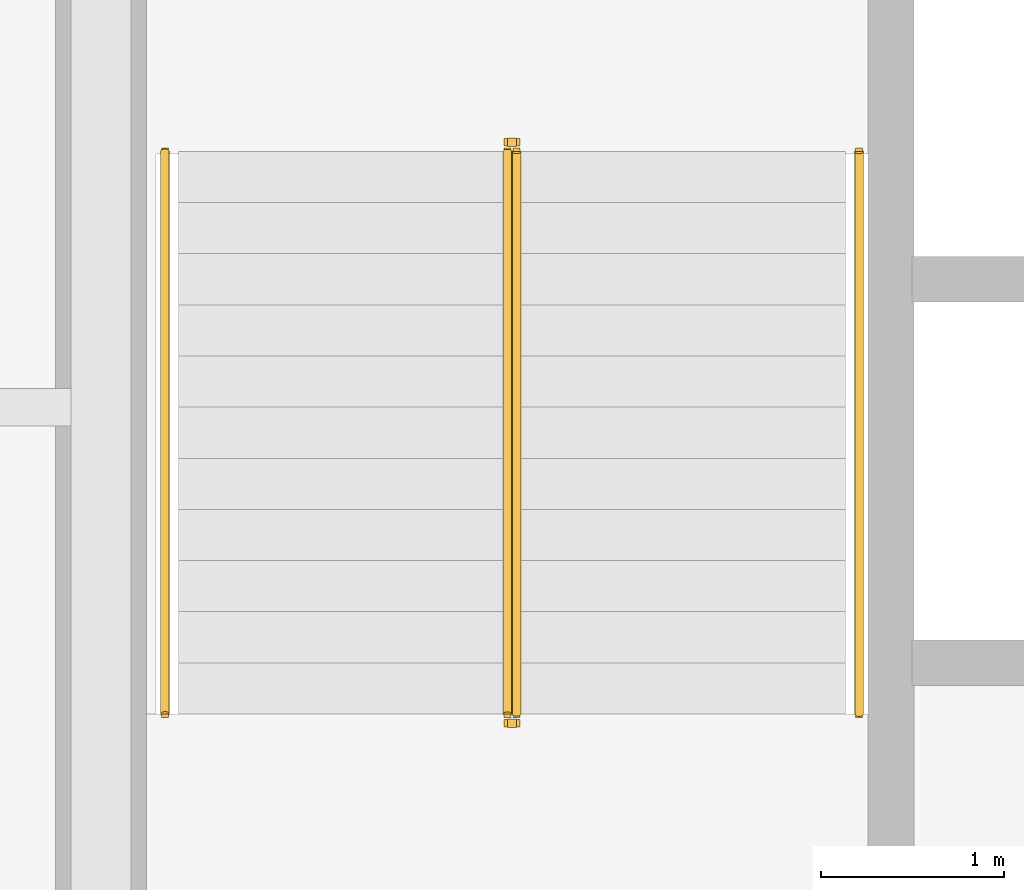
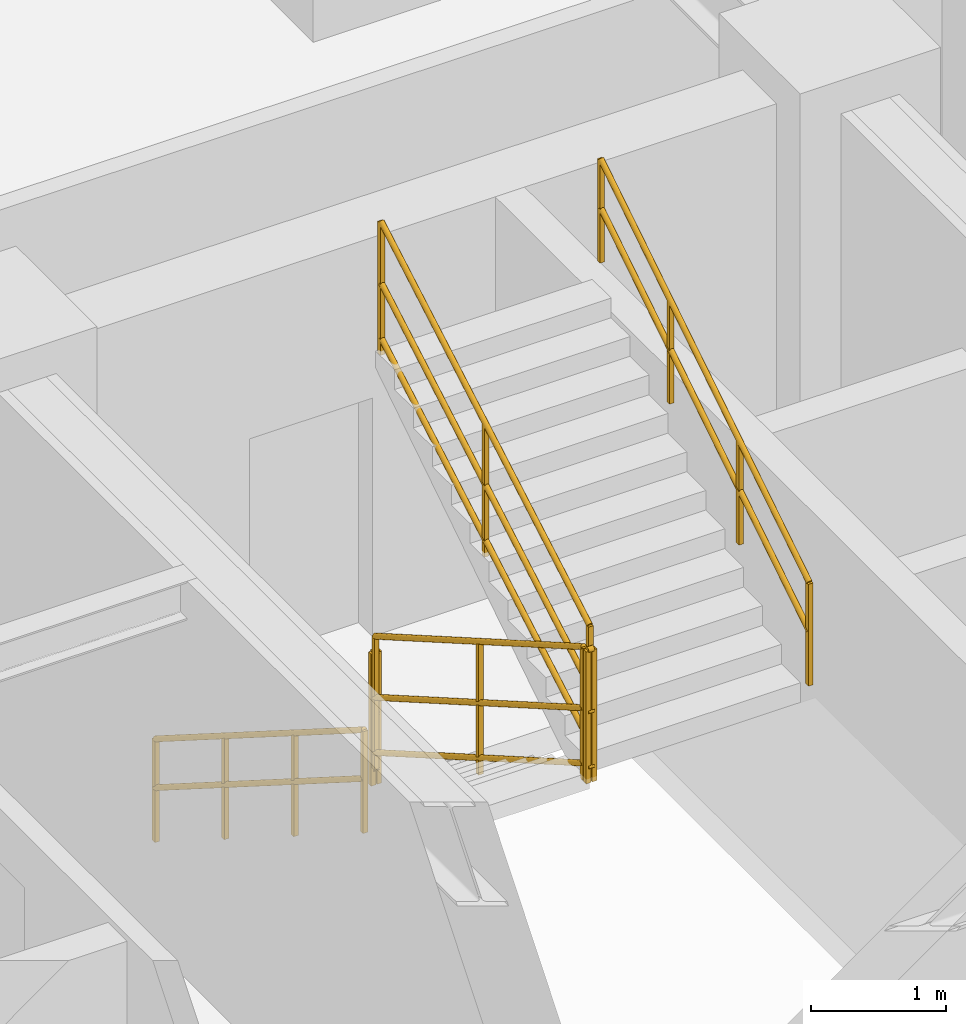
# One storey, part 9 of 9: 6 railings.
"""IFC4 building model written with IfcOpenShell, lengths in metres."""

from ifc_helpers import new_model, entity, si_unit, converted_unit, direction, frame, origin_with_axes, origin_2d_with_axis, place, context, subcontext, project, spatial, rectangle, circle, extrude, material, type_object, element, save


model = new_model("IFC4")

# Units and contexts
model_context = context("Model", 3, precision=1e-05, world=origin_with_axes(), true_north=direction((0.0, 1.0)))
body_context = subcontext(model_context, "Body", "Model", "MODEL_VIEW")
ifc_project = project(units=[si_unit("LENGTHUNIT", "METRE"), si_unit("AREAUNIT", "SQUARE_METRE"), si_unit("VOLUMEUNIT", "CUBIC_METRE"), converted_unit("PLANEANGLEUNIT", "DEGREE", entity("IfcPlaneAngleMeasure", 0.017453292519943295), si_unit("PLANEANGLEUNIT", "RADIAN"), dimensions=[0, 0, 0, 0, 0, 0, 0]), si_unit("MASSUNIT", "GRAM", prefix="KILO"), si_unit("THERMODYNAMICTEMPERATUREUNIT", "KELVIN")], contexts=[model_context])

# Site, building, storey
site_placement = place(None, origin_with_axes())
site = spatial("IfcSite", under=ifc_project, at=site_placement, CompositionType="ELEMENT")
building_placement = place(site_placement, origin_with_axes())
building = spatial("IfcBuilding", under=site, at=building_placement, Name="Varnlund Millrace Tower", CompositionType="ELEMENT")
storey_placement = place(building_placement, frame((0.0, 0.0, 120.3), z_axis=(0.0, 0.0, 1.0), x_axis=(1.0, 0.0, 0.0)))
storey = spatial("IfcBuildingStorey", under=building, at=storey_placement, Name="L29", CompositionType="ELEMENT", Elevation=120.3)

# Railings
ifc_material_1 = material(Name="Painted steel stair well balustrade guard", Category="steel")
railing_type_1 = type_object("IfcRailingType", Name="Type-StairGuard-1150", PredefinedType="GUARDRAIL", material=ifc_material_1)
railing_1_placement = place(storey_placement, frame((0.0, 0.0, -120.3), z_axis=(0.0, 0.0, 1.0), x_axis=(1.0, 0.0, 0.0)))
element("IfcRailing", 1, at=railing_1_placement, inside=storey, type_object=railing_type_1, Name="Type-StairGuard-1150", PredefinedType="GUARDRAIL", context=body_context, shape_type="SweptSolid", body=[
    extrude(circle(Radius=0.024, at=origin_2d_with_axis()), frame((13.625, 35.9, 121.627273), z_axis=(0.0, -0.866696, 0.498836), x_axis=(1.0, 0.0, 0.0)), (0.0, 0.0, 1.0), 3.553725),
    extrude(circle(Radius=0.024, at=origin_2d_with_axis()), frame((13.625, 35.9, 120.577273), z_axis=(0.0, -0.866696, 0.498836), x_axis=(1.0, 0.0, 0.0)), (0.0, 0.0, 1.0), 3.553725),
    extrude(circle(Radius=0.024, at=origin_2d_with_axis()), frame((13.625, 35.9, 121.075273), z_axis=(0.0, -0.866696, 0.498836), x_axis=(1.0, 0.0, 0.0)), (0.0, 0.0, 1.0), 3.553725),
    extrude(rectangle(XDim=0.04, YDim=0.04, at=origin_2d_with_axis()), frame((13.625, 35.9, 120.437273), z_axis=(0.0, 0.0, 1.0), x_axis=(1.0, 0.0, 0.0)), (0.0, 0.0, 1.0), 1.19),
    extrude(rectangle(XDim=0.04, YDim=0.04, at=origin_2d_with_axis()), frame((13.625, 34.36, 121.323636), z_axis=(0.0, 0.0, 1.0), x_axis=(1.0, 0.0, 0.0)), (0.0, 0.0, 1.0), 1.19),
    extrude(rectangle(XDim=0.04, YDim=0.04, at=origin_2d_with_axis()), frame((13.625, 32.82, 122.21), z_axis=(0.0, 0.0, 1.0), x_axis=(1.0, 0.0, 0.0)), (0.0, 0.0, 1.0), 1.19),
])
railing_2_placement = place(storey_placement, frame((0.0, 0.0, -120.3), z_axis=(0.0, 0.0, 1.0), x_axis=(1.0, 0.0, 0.0)))
element("IfcRailing", 2, at=railing_2_placement, inside=storey, type_object=railing_type_1, Name="Type-StairGuard-1150", PredefinedType="GUARDRAIL", context=body_context, shape_type="SweptSolid", body=[
    extrude(circle(Radius=0.024, at=origin_2d_with_axis()), frame((13.675, 32.77, 123.4), z_axis=(-1.0, 0.0, 0.0), x_axis=(0.0, -1.0, 0.0)), (0.0, 0.0, 1.0), 0.05),
    extrude(circle(Radius=0.024, at=origin_2d_with_axis()), frame((13.675, 32.77, 122.35), z_axis=(-1.0, 0.0, 0.0), x_axis=(0.0, -1.0, 0.0)), (0.0, 0.0, 1.0), 0.05),
    extrude(circle(Radius=0.024, at=origin_2d_with_axis()), frame((13.675, 32.77, 122.848), z_axis=(-1.0, 0.0, 0.0), x_axis=(0.0, -1.0, 0.0)), (0.0, 0.0, 1.0), 0.05),
    extrude(rectangle(XDim=0.04, YDim=0.04, at=origin_2d_with_axis()), frame((13.675, 32.77, 122.21), z_axis=(0.0, 0.0, 1.0), x_axis=(1.0, 0.0, 0.0)), (0.0, 0.0, 1.0), 1.19),
    extrude(rectangle(XDim=0.04, YDim=0.04, at=origin_2d_with_axis()), frame((13.625, 32.77, 122.21), z_axis=(0.0, 0.0, 1.0), x_axis=(1.0, 0.0, 0.0)), (0.0, 0.0, 1.0), 1.19),
])
railing_3_placement = place(storey_placement, frame((0.0, 0.0, -120.3), z_axis=(0.0, 0.0, 1.0), x_axis=(1.0, 0.0, 0.0)))
element("IfcRailing", 3, at=railing_3_placement, inside=storey, type_object=railing_type_1, Name="Type-StairGuard-1150", PredefinedType="GUARDRAIL", context=body_context, shape_type="SweptSolid", body=[
    extrude(circle(Radius=0.024, at=origin_2d_with_axis()), frame((13.675, 32.82, 123.577273), z_axis=(0.0, 0.866696, 0.498836), x_axis=(-1.0, 0.0, 0.0)), (0.0, 0.0, 1.0), 3.553725),
    extrude(circle(Radius=0.024, at=origin_2d_with_axis()), frame((13.675, 32.82, 122.527273), z_axis=(0.0, 0.866696, 0.498836), x_axis=(-1.0, 0.0, 0.0)), (0.0, 0.0, 1.0), 3.553725),
    extrude(circle(Radius=0.024, at=origin_2d_with_axis()), frame((13.675, 32.82, 123.025273), z_axis=(0.0, 0.866696, 0.498836), x_axis=(-1.0, 0.0, 0.0)), (0.0, 0.0, 1.0), 3.553725),
    extrude(rectangle(XDim=0.04, YDim=0.04, at=origin_2d_with_axis()), frame((13.675, 32.82, 122.387273), z_axis=(0.0, 0.0, 1.0), x_axis=(1.0, 0.0, 0.0)), (0.0, 0.0, 1.0), 1.19),
    extrude(rectangle(XDim=0.04, YDim=0.04, at=origin_2d_with_axis()), frame((13.675, 34.36, 123.273636), z_axis=(0.0, 0.0, 1.0), x_axis=(1.0, 0.0, 0.0)), (0.0, 0.0, 1.0), 1.19),
    extrude(rectangle(XDim=0.04, YDim=0.04, at=origin_2d_with_axis()), frame((13.675, 35.9, 124.16), z_axis=(0.0, 0.0, 1.0), x_axis=(1.0, 0.0, 0.0)), (0.0, 0.0, 1.0), 1.19),
])
railing_4_placement = place(storey_placement, frame((0.0, 0.0, -120.3), z_axis=(0.0, 0.0, 1.0), x_axis=(1.0, 0.0, 0.0)))
element("IfcRailing", 4, at=railing_4_placement, inside=storey, type_object=railing_type_1, Name="Type-StairGuard-1150", PredefinedType="GUARDRAIL", context=body_context, shape_type="SweptSolid", body=[
    extrude(circle(Radius=0.024, at=origin_2d_with_axis()), frame((13.675, 35.95, 121.45), z_axis=(-1.0, 0.0, 0.0), x_axis=(0.0, -1.0, 0.0)), (0.0, 0.0, 1.0), 0.05),
    extrude(circle(Radius=0.024, at=origin_2d_with_axis()), frame((13.675, 35.95, 120.4), z_axis=(-1.0, 0.0, 0.0), x_axis=(0.0, -1.0, 0.0)), (0.0, 0.0, 1.0), 0.05),
    extrude(circle(Radius=0.024, at=origin_2d_with_axis()), frame((13.675, 35.95, 120.898), z_axis=(-1.0, 0.0, 0.0), x_axis=(0.0, -1.0, 0.0)), (0.0, 0.0, 1.0), 0.05),
    extrude(rectangle(XDim=0.04, YDim=0.04, at=origin_2d_with_axis()), frame((13.675, 35.95, 120.26), z_axis=(0.0, 0.0, 1.0), x_axis=(1.0, 0.0, 0.0)), (0.0, 0.0, 1.0), 1.19),
    extrude(rectangle(XDim=0.04, YDim=0.04, at=origin_2d_with_axis()), frame((13.625, 35.95, 120.26), z_axis=(0.0, 0.0, 1.0), x_axis=(1.0, 0.0, 0.0)), (0.0, 0.0, 1.0), 1.19),
])
ifc_material_2 = material(Name="Brushed architectural bronze stair handrail", Category="aluminium")
railing_type_2 = type_object("IfcRailingType", Name="Type-StairHandrail-900", PredefinedType="HANDRAIL", material=ifc_material_2)
railing_5_placement = place(storey_placement, frame((0.0, 0.0, -120.3), z_axis=(0.0, 0.0, 1.0), x_axis=(1.0, 0.0, 0.0)))
element("IfcRailing", 5, at=railing_5_placement, inside=storey, type_object=railing_type_2, Name="Type-StairHandrail-900", PredefinedType="HANDRAIL", context=body_context, shape_type="SweptSolid", body=[
    extrude(circle(Radius=0.024, at=origin_2d_with_axis()), frame((11.75, 35.9, 121.356995), z_axis=(0.0, -0.844902, 0.534922), x_axis=(1.0, 0.0, 0.0)), (0.0, 0.0, 1.0), 3.645394),
    extrude(circle(Radius=0.024, at=origin_2d_with_axis()), frame((11.75, 35.9, 120.917134), z_axis=(0.0, -0.844902, 0.534922), x_axis=(1.0, 0.0, 0.0)), (0.0, 0.0, 1.0), 3.645394),
    extrude(rectangle(XDim=0.04, YDim=0.04, at=origin_2d_with_axis()), frame((11.75, 35.9, 120.437273), z_axis=(0.0, 0.0, 1.0), x_axis=(1.0, 0.0, 0.0)), (0.0, 0.0, 1.0), 0.919722),
    extrude(rectangle(XDim=0.04, YDim=0.04, at=origin_2d_with_axis()), frame((11.75, 34.873333, 121.087273), z_axis=(0.0, 0.0, 1.0), x_axis=(1.0, 0.0, 0.0)), (0.0, 0.0, 1.0), 0.919722),
    extrude(rectangle(XDim=0.04, YDim=0.04, at=origin_2d_with_axis()), frame((11.75, 33.846667, 121.737273), z_axis=(0.0, 0.0, 1.0), x_axis=(1.0, 0.0, 0.0)), (0.0, 0.0, 1.0), 0.919722),
    extrude(rectangle(XDim=0.04, YDim=0.04, at=origin_2d_with_axis()), frame((11.75, 32.82, 122.387273), z_axis=(0.0, 0.0, 1.0), x_axis=(1.0, 0.0, 0.0)), (0.0, 0.0, 1.0), 0.919722),
])
railing_6_placement = place(storey_placement, frame((0.0, 0.0, -120.3), z_axis=(0.0, 0.0, 1.0), x_axis=(1.0, 0.0, 0.0)))
element("IfcRailing", 6, at=railing_6_placement, inside=storey, type_object=railing_type_2, Name="Type-StairHandrail-900", PredefinedType="HANDRAIL", context=body_context, shape_type="SweptSolid", body=[
    extrude(circle(Radius=0.024, at=origin_2d_with_axis()), frame((15.55, 32.82, 123.306995), z_axis=(0.0, 0.844902, 0.534922), x_axis=(-1.0, 0.0, 0.0)), (0.0, 0.0, 1.0), 3.645394),
    extrude(circle(Radius=0.024, at=origin_2d_with_axis()), frame((15.55, 32.82, 122.867134), z_axis=(0.0, 0.844902, 0.534922), x_axis=(-1.0, 0.0, 0.0)), (0.0, 0.0, 1.0), 3.645394),
    extrude(rectangle(XDim=0.04, YDim=0.04, at=origin_2d_with_axis()), frame((15.55, 32.82, 122.387273), z_axis=(0.0, 0.0, 1.0), x_axis=(1.0, 0.0, 0.0)), (0.0, 0.0, 1.0), 0.919722),
    extrude(rectangle(XDim=0.04, YDim=0.04, at=origin_2d_with_axis()), frame((15.55, 33.846667, 123.037273), z_axis=(0.0, 0.0, 1.0), x_axis=(1.0, 0.0, 0.0)), (0.0, 0.0, 1.0), 0.919722),
    extrude(rectangle(XDim=0.04, YDim=0.04, at=origin_2d_with_axis()), frame((15.55, 34.873333, 123.687273), z_axis=(0.0, 0.0, 1.0), x_axis=(1.0, 0.0, 0.0)), (0.0, 0.0, 1.0), 0.919722),
    extrude(rectangle(XDim=0.04, YDim=0.04, at=origin_2d_with_axis()), frame((15.55, 35.9, 124.337273), z_axis=(0.0, 0.0, 1.0), x_axis=(1.0, 0.0, 0.0)), (0.0, 0.0, 1.0), 0.919722),
])

save(model, "model.ifc")
